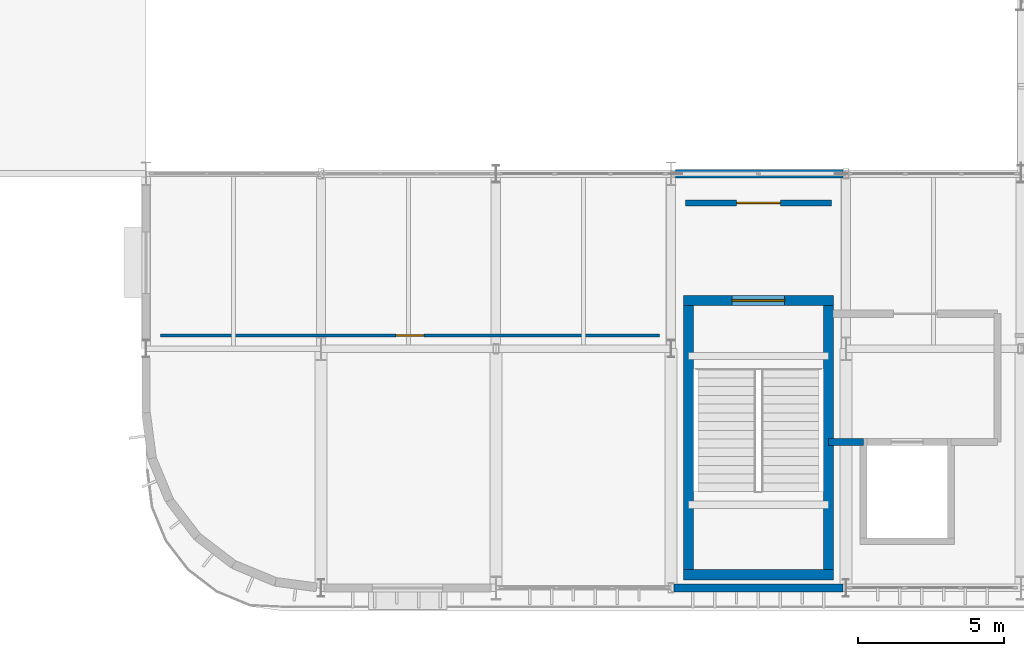
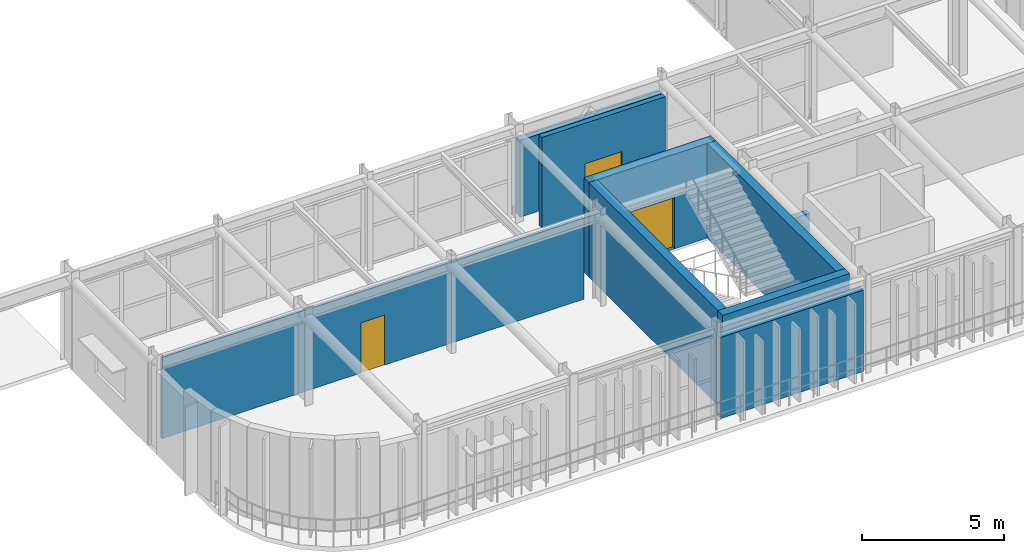
# One storey, part 88 of 116: 9 walls, 3 doors, 3 openings.
"""IFC4 building model written with IfcOpenShell, lengths in metres."""

from ifc_helpers import new_model, si_unit, direction, frame, frame_2d, origin, place, context, subcontext, project, spatial, rectangle, extrude, material, layer, layer_set, type_object, element, fill, save


model = new_model("IFC4")

# Units and contexts
model_context = context("Model", 3, precision=1e-05, world=origin(), true_north=direction((0.0, 1.0)))
body_context = subcontext(model_context, "Body", "Model", "MODEL_VIEW")
ifc_project = project(units=[si_unit("LENGTHUNIT", "METRE"), si_unit("AREAUNIT", "SQUARE_METRE"), si_unit("VOLUMEUNIT", "CUBIC_METRE"), si_unit("PLANEANGLEUNIT", "RADIAN"), si_unit("MASSUNIT", "GRAM", prefix="KILO")], contexts=[model_context])

# Site, building, storey
site_placement = place(None, origin())
site = spatial("IfcSite", under=ifc_project, at=site_placement, CompositionType="ELEMENT")
building_placement = place(site_placement, origin())
building = spatial("IfcBuilding", under=site, at=building_placement, Name="Varnakota Square Police Headquarters", CompositionType="ELEMENT")
storey_placement = place(building_placement, frame((0.0, 0.0, 9.300048828125)))
storey = spatial("IfcBuildingStorey", under=building, at=storey_placement, Name="L02", CompositionType="ELEMENT", Elevation=9.300048828125)

# Walls
ifc_material_1 = material(Name="Concrete M50", Category="concrete")
ifc_layer_1 = layer(ifc_material_1, 0.35009765625, Name="Concrete M50")
ifc_layer_set_1 = layer_set([ifc_layer_1], Name="Concrete M50")
wall_type_1 = type_object("IfcWallType", Name="WL-CORE-350", PredefinedType="SHEAR", material=ifc_layer_set_1)
wall_1_placement = place(storey_placement, frame((126.425048828125, 1.25, 0.0), z_axis=(0.0, 0.0, 1.0), x_axis=(1.0, 0.0, 0.0)))
element("IfcWall", 1, at=wall_1_placement, inside=storey, type_object=wall_type_1, Name="Core C1 shear wall L02 S", PredefinedType="SHEAR", context=body_context, shape_type="SweptSolid", body=[
    extrude(rectangle(XDim=5.14990234375, YDim=0.35009765625, at=frame_2d((2.574951171875, 0.0))), origin(), (0.0, 0.0, 1.0), 4.06005859375),
])
wall_2_placement = place(storey_placement, frame((131.39990234375, 1.074951171875, 0.0), z_axis=(0.0, 0.0, 1.0), x_axis=(0.0, 1.0, 0.0)))
element("IfcWall", 2, at=wall_2_placement, inside=storey, type_object=wall_type_1, Name="Core C1 shear wall L02 E", PredefinedType="SHEAR", context=body_context, shape_type="SweptSolid", body=[
    extrude(rectangle(XDim=9.75, YDim=0.35009765625, at=frame_2d((4.875, 0.0))), origin(), (0.0, 0.0, 1.0), 4.06005859375),
])

# Wall, opening, door
wall_3_placement = place(storey_placement, frame((131.574951171875, 10.64990234375, 0.0), z_axis=(0.0, 0.0, 1.0), x_axis=(-1.0, 0.0, 0.0)))
wall_3 = element("IfcWall", 3, at=wall_3_placement, inside=storey, type_object=wall_type_1, Name="Core C1 shear wall L02 N", PredefinedType="SHEAR", context=body_context, shape_type="SweptSolid", body=[
    extrude(rectangle(XDim=5.14990234375, YDim=0.35009765625, at=frame_2d((2.574951171875, 0.0))), origin(), (0.0, 0.0, 1.0), 4.06005859375),
])
opening_1_placement = place(wall_3_placement, frame((1.675048828125, 0.0, 0.0)))
opening_1 = element("IfcOpeningElement", 4, at=opening_1_placement, cuts=wall_3, Name="Opening SD003", PredefinedType="OPENING", context=body_context, shape_type="SweptSolid", body=[
    extrude(rectangle(XDim=1.800048828125, YDim=2.199951171875, at=frame_2d((0.89990234375, 1.10009765625))), frame((0.0, 0.18505859375, 0.0), z_axis=(0.0, -1.0, 0.0), x_axis=(1.0, 0.0, 0.0)), (0.0, 0.0, 1.0), 0.3701171875),
])
ifc_material_2 = material(Name="Powder-Coated Galvanised Steel", Category="steel")
door_type_1 = type_object("IfcDoorType", Name="DR-ST-180", OperationType="NOTDEFINED", PredefinedType="DOOR", material=ifc_material_2)
door_1_placement = place(opening_1_placement, origin())
door_1 = element("IfcDoor", 5, at=door_1_placement, inside=storey, type_object=door_type_1, Name="Protected stair door SD003", OperationType="DOUBLE_DOOR_SINGLE_SWING", OverallHeight=2.199951171875, OverallWidth=1.800048828125, PredefinedType="DOOR", context=body_context, shape_type="SweptSolid", body=[
    extrude(rectangle(XDim=1.800048828125, YDim=2.199951171875, at=frame_2d((0.89990234375, 1.10009765625))), frame((0.0, 0.02490234375, 0.0), z_axis=(0.0, -1.0, 0.0), x_axis=(1.0, 0.0, 0.0)), (0.0, 0.0, 1.0), 0.050048828125),
])
fill(opening_1, door_1)

# Walls
wall_4_placement = place(storey_placement, frame((126.60009765625, 10.824951171875, 0.0), z_axis=(0.0, 0.0, 1.0), x_axis=(0.0, -1.0, 0.0)))
element("IfcWall", 6, at=wall_4_placement, inside=storey, type_object=wall_type_1, Name="Core C1 shear wall L02 W", PredefinedType="SHEAR", context=body_context, shape_type="SweptSolid", body=[
    extrude(rectangle(XDim=9.75, YDim=0.35009765625, at=frame_2d((4.875, 0.0))), origin(), (0.0, 0.0, 1.0), 4.06005859375),
])
ifc_material_3 = material(Name="Concrete M40", Category="concrete")
ifc_layer_2 = layer(ifc_material_3, 0.280029296875, Name="Concrete M40")
ifc_layer_set_2 = layer_set([ifc_layer_2], Name="Concrete M40")
wall_type_2 = type_object("IfcWallType", Name="WL-EXT-280", PredefinedType="SOLIDWALL", material=ifc_layer_set_2)
wall_5_placement = place(storey_placement, frame((126.10400390625, 0.800048828125, 0.0), z_axis=(0.0, 0.0, 1.0), x_axis=(1.0, 0.0, 0.0)))
element("IfcWall", 7, at=wall_5_placement, inside=storey, type_object=wall_type_2, Name="Exterior wall EW-L02-0177", PredefinedType="SOLIDWALL", context=body_context, shape_type="SweptSolid", body=[
    extrude(rectangle(XDim=5.787109375, YDim=0.280029296875, at=frame_2d((2.8935546875, 0.0))), origin(), (0.0, 0.0, 1.0), 3.483642578125),
])
wall_6_placement = place(storey_placement, frame((126.1640625, 15.0, 0.0), z_axis=(0.0, 0.0, 1.0), x_axis=(1.0, 0.0, 0.0)))
element("IfcWall", 8, at=wall_6_placement, inside=storey, type_object=wall_type_2, Name="Exterior wall EW-L02-0186", PredefinedType="SOLIDWALL", context=body_context, shape_type="SweptSolid", body=[
    extrude(rectangle(XDim=5.73193359375, YDim=0.280029296875, at=frame_2d((2.865966796875, 0.0))), origin(), (0.0, 0.0, 1.0), 3.2900390625),
])

# Wall, opening, door
ifc_material_4 = material(Name="Glazed Clean-Lab Modular Partition", Category="gypsum")
ifc_layer_3 = layer(ifc_material_4, 0.10498046875, Name="Glazed Clean-Lab Modular Partition")
ifc_layer_set_3 = layer_set([ifc_layer_3], Name="Glazed Clean-Lab Modular Partition")
wall_type_3 = type_object("IfcWallType", Name="WL-PRT-105", PredefinedType="PARTITIONING", material=ifc_layer_set_3)
wall_7_placement = place(storey_placement, frame((108.5, 9.449951171875, 0.0), z_axis=(0.0, 0.0, 1.0), x_axis=(1.0, 0.0, 0.0)))
wall_7 = element("IfcWall", 9, at=wall_7_placement, inside=storey, type_object=wall_type_3, Name="Interior partition PW-L02-0145 (Detective Division West Suite)", PredefinedType="PARTITIONING", context=body_context, shape_type="SweptSolid", body=[
    extrude(rectangle(XDim=17.10009765625, YDim=0.10498046875, at=frame_2d((8.550048828125, 0.0))), origin(), (0.0, 0.0, 1.0), 3.489990234375),
])
opening_2_placement = place(wall_7_placement, frame((8.074951171875, 0.0, 0.0)))
opening_2 = element("IfcOpeningElement", 10, at=opening_2_placement, cuts=wall_7, Name="Opening D232", PredefinedType="OPENING", context=body_context, shape_type="SweptSolid", body=[
    extrude(rectangle(XDim=0.949951171875, YDim=2.14990234375, at=frame_2d((0.47509765625, 1.074951171875))), frame((0.0, 0.0625, 0.0), z_axis=(0.0, -1.0, 0.0), x_axis=(1.0, 0.0, 0.0)), (0.0, 0.0, 1.0), 0.125),
])
ifc_material_5 = material(Name="Solid-Core Teak Veneer Hardwood", Category="wood")
door_type_2 = type_object("IfcDoorType", Name="DR-OFF-095", OperationType="NOTDEFINED", PredefinedType="DOOR", material=ifc_material_5)
door_2_placement = place(opening_2_placement, origin())
door_2 = element("IfcDoor", 11, at=door_2_placement, inside=storey, type_object=door_type_2, Name="Room door D232 (Detective Division West Suite)", OperationType="SINGLE_SWING_LEFT", OverallHeight=2.14990234375, OverallWidth=0.949951171875, PredefinedType="DOOR", context=body_context, shape_type="SweptSolid", body=[
    extrude(rectangle(XDim=0.949951171875, YDim=2.14990234375, at=frame_2d((0.47509765625, 1.074951171875))), frame((0.0, 0.02490234375, 0.0), z_axis=(0.0, -1.0, 0.0), x_axis=(1.0, 0.0, 0.0)), (0.0, 0.0, 1.0), 0.050048828125),
])
fill(opening_2, door_2)

ifc_layer_4 = layer(ifc_material_3, 0.215087890625, Name="Concrete M40")
ifc_layer_set_4 = layer_set([ifc_layer_4], Name="Concrete M40")
wall_type_4 = type_object("IfcWallType", Name="WL-PRT-215F", PredefinedType="PARTITIONING", material=ifc_layer_set_4)
wall_8_placement = place(storey_placement, frame((126.5, 14.0, 0.0), z_axis=(0.0, 0.0, 1.0), x_axis=(1.0, 0.0, 0.0)))
wall_8 = element("IfcWall", 12, at=wall_8_placement, inside=storey, type_object=wall_type_4, Name="Core C1 lobby fire partition L02", PredefinedType="PARTITIONING", context=body_context, shape_type="SweptSolid", body=[
    extrude(rectangle(XDim=5.0, YDim=0.215087890625, at=frame_2d((2.5, 0.0))), origin(), (0.0, 0.0, 1.0), 3.889892578125),
])
opening_3_placement = place(wall_8_placement, frame((1.75, 0.0, 0.0)))
opening_3 = element("IfcOpeningElement", 13, at=opening_3_placement, cuts=wall_8, Name="Opening FD013", PredefinedType="OPENING", context=body_context, shape_type="SweptSolid", body=[
    extrude(rectangle(XDim=1.5, YDim=2.14990234375, at=frame_2d((0.75, 1.074951171875))), frame((0.0, 0.117431640625, 0.0), z_axis=(0.0, -1.0, 0.0), x_axis=(1.0, 0.0, 0.0)), (0.0, 0.0, 1.0), 0.235107421875),
])
ifc_material_6 = material(Name="Smoke-Sealed Galvanised Acoustic Steel", Category="steel")
door_type_3 = type_object("IfcDoorType", Name="DR-FFL-150", OperationType="NOTDEFINED", PredefinedType="DOOR", material=ifc_material_6)
door_3_placement = place(opening_3_placement, origin())
door_3 = element("IfcDoor", 14, at=door_3_placement, inside=storey, type_object=door_type_3, Name="Core lobby smoke door FD013", OperationType="DOUBLE_DOOR_SINGLE_SWING", OverallHeight=2.14990234375, OverallWidth=1.5, PredefinedType="DOOR", context=body_context, shape_type="SweptSolid", body=[
    extrude(rectangle(XDim=1.5, YDim=2.14990234375, at=frame_2d((0.75, 1.074951171875))), frame((0.0, 0.02490234375, 0.0), z_axis=(0.0, -1.0, 0.0), x_axis=(1.0, 0.0, 0.0)), (0.0, 0.0, 1.0), 0.050048828125),
])
fill(opening_3, door_3)

# Wall
ifc_layer_5 = layer(ifc_material_3, 0.25, Name="Concrete M40")
ifc_layer_set_5 = layer_set([ifc_layer_5], Name="Concrete M40")
wall_type_5 = type_object("IfcWallType", Name="WL-PRT-250F", PredefinedType="PARTITIONING", material=ifc_layer_set_5)
wall_9_placement = place(storey_placement, frame((131.39990234375, 5.800048828125, 0.0), z_axis=(0.0, 0.0, 1.0), x_axis=(1.0, 0.0, 0.0)))
element("IfcWall", 15, at=wall_9_placement, inside=storey, type_object=wall_type_5, Name="Firefighting lobby return wall C1 L02 SW", PredefinedType="PARTITIONING", context=body_context, shape_type="SweptSolid", body=[
    extrude(rectangle(XDim=1.2001953125, YDim=0.25, at=frame_2d((0.60009765625, 0.0))), origin(), (0.0, 0.0, 1.0), 3.483642578125),
])

save(model, "model.ifc")
